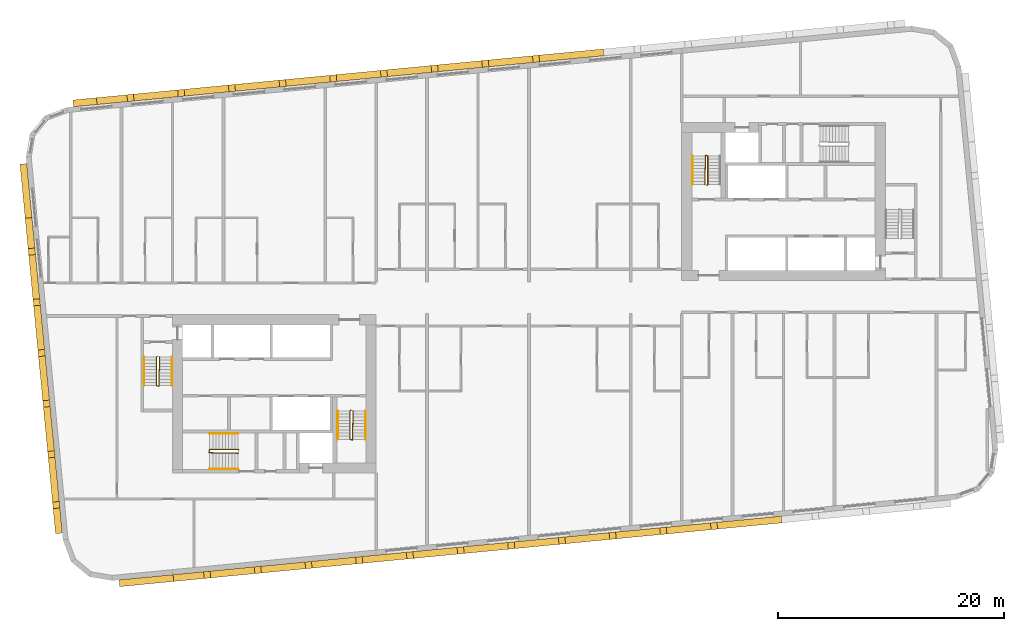
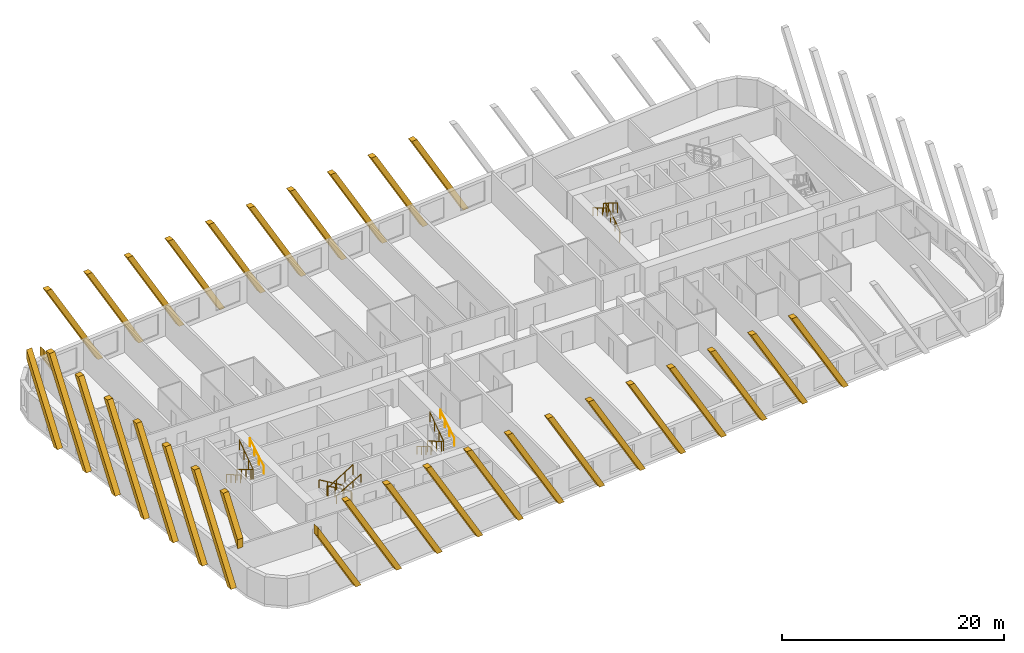
# One storey, part 12 of 13: 32 coverings, 11 railings.
"""IFC4 building model written with IfcOpenShell, lengths in metres."""

from ifc_helpers import new_model, si_unit, direction, frame, origin, origin_2d, place, context, subcontext, project, spatial, polyline, rectangle, circle, outline, extrude, material, material_profile, profile_set, type_object, element, save


model = new_model("IFC4")

# Units and contexts
model_context = context("Model", 3, precision=1e-05, world=origin(), true_north=direction((0.0, 1.0)))
body_context = subcontext(model_context, "Body", "Model", "MODEL_VIEW")
ifc_project = project(units=[si_unit("LENGTHUNIT", "METRE"), si_unit("AREAUNIT", "SQUARE_METRE"), si_unit("VOLUMEUNIT", "CUBIC_METRE"), si_unit("PLANEANGLEUNIT", "RADIAN"), si_unit("MASSUNIT", "GRAM", prefix="KILO")], contexts=[model_context])

# Site, building, storey
site_placement = place(None, origin())
site = spatial("IfcSite", under=ifc_project, at=site_placement, CompositionType="ELEMENT")
building_placement = place(site_placement, origin())
building = spatial("IfcBuilding", under=site, at=building_placement, Name="Kajstack Hotel Tower", CompositionType="ELEMENT")
storey_placement = place(building_placement, frame((0.0, 0.0, 166.89990234375)))
storey = spatial("IfcBuildingStorey", under=building, at=storey_placement, Name="L38", CompositionType="ELEMENT", Elevation=166.89990234375)

# Coverings
ifc_material_1 = material(Name="Terracotta", Category="masonry")
ifc_material_profile = material_profile(ifc_material_1, rectangle(XDim=0.60009765625, YDim=0.5, at=origin_2d()), Name="Terracotta-clad concrete baguette 500 x 600")
ifc_profile_set = profile_set([ifc_material_profile], Name="Terracotta")
covering_type = type_object("IfcCoveringType", Name="BAGUETTE 500x600", PredefinedType="CLADDING", material=ifc_profile_set)
covering_1_placement = place(storey_placement, frame((-44.380859375, 11.846923828125, 0.0), z_axis=(-0.995377661201, -0.096038073607, 0.0), x_axis=(0.096038073607, -0.995377661201, 0.0)))
element("IfcCovering", 1, at=covering_1_placement, inside=storey, type_object=covering_type, Name="Baguette L38-00-000", PredefinedType="CLADDING", context=body_context, shape_type="SweptSolid", body=[
    extrude(outline(polyline([(4.78857421875, 0.0), (0.0, 8.294189453125), (0.0, 7.294189453125), (4.21142578125, 0.0), (4.78857421875, 0.0)])), origin(), (0.0, 0.0, 1.0), 0.599853515625),
])
for number, where, z_axis, x_axis, name in (
    (2, (-44.09375, 8.864990234375, 0.0), (-0.995416482233, -0.095634862357, 0.0), (0.095634862357, -0.995416482233, 0.0), "Baguette L38-00-004"),
    (3, (-43.662353515625, 4.3857421875, 0.0), (-0.995416482233, -0.095634862357, 0.0), (0.095634862357, -0.995416482233, 0.0), "Baguette L38-00-008"),
    (4, (-43.231201171875, -0.093505859375, 0.0), (-0.995416482233, -0.095634862357, 0.0), (0.095634862357, -0.995416482233, 0.0), "Baguette L38-00-012"),
    (5, (-42.7998046875, -4.57275390625, 0.0), (-0.995377661201, -0.096038073607, 0.0), (0.096038073607, -0.995377661201, 0.0), "Baguette L38-00-016"),
):
    element("IfcCovering", number, at=place(storey_placement, frame(where, z_axis=z_axis, x_axis=x_axis)), inside=storey, type_object=covering_type, Name=name, PredefinedType="CLADDING", context=body_context, shape_type="SweptSolid", body=[
        extrude(outline(polyline([(0.0, 9.89990234375), (5.7158203125, 0.0), (6.293212890625, 0.0), (0.577392578125, 9.89990234375), (0.0, 9.89990234375)])), origin(), (0.0, 0.0, 1.0), 0.599853515625),
    ])
covering_2_placement = place(storey_placement, frame((-42.368408203125, -9.052001953125, 0.0), z_axis=(-0.995381412265, -0.095999188106, 0.0), x_axis=(0.095999188106, -0.995381412265, 0.0)))
element("IfcCovering", 6, at=covering_2_placement, inside=storey, type_object=covering_type, Name="Baguette L38-00-020", PredefinedType="CLADDING", context=body_context, shape_type="SweptSolid", body=[
    extrude(outline(polyline([(0.0, 9.89990234375), (5.7158203125, 0.0), (6.293212890625, 0.0), (0.577392578125, 9.89990234375), (0.0, 9.89990234375)])), origin(), (0.0, 0.0, 1.0), 0.60009765625),
])
covering_3_placement = place(storey_placement, frame((-41.937255859375, -13.53125, 0.0), z_axis=(-0.995377661201, -0.096038073607, 0.0), x_axis=(0.096038073607, -0.995377661201, 0.0)))
element("IfcCovering", 7, at=covering_3_placement, inside=storey, type_object=covering_type, Name="Baguette L38-00-024", PredefinedType="CLADDING", context=body_context, shape_type="SweptSolid", body=[
    extrude(outline(polyline([(0.0, 9.89990234375), (5.7158203125, 0.0), (6.293212890625, 0.0), (0.577392578125, 9.89990234375), (0.0, 9.89990234375)])), origin(), (0.0, 0.0, 1.0), 0.599853515625),
])
covering_4_placement = place(storey_placement, frame((-41.505859375, -18.0107421875, 0.0), z_axis=(-0.995416482233, -0.095634862357, 0.0), x_axis=(0.095634862357, -0.995416482233, 0.0)))
element("IfcCovering", 8, at=covering_4_placement, inside=storey, type_object=covering_type, Name="Baguette L38-00-028", PredefinedType="CLADDING", context=body_context, shape_type="SweptSolid", body=[
    extrude(outline(polyline([(0.0, 9.89990234375), (2.804443359375, 5.042724609375), (2.804443359375, 6.042724609375), (0.577392578125, 9.89990234375), (0.0, 9.89990234375)])), origin(), (0.0, 0.0, 1.0), 0.599853515625),
])
covering_5_placement = place(storey_placement, frame((-36.21728515625, -24.93994140625, 0.0), z_axis=(0.095634862357, -0.995416482233, 0.0), x_axis=(0.995416482233, 0.095634862357, 0.0)))
element("IfcCovering", 9, at=covering_5_placement, inside=storey, type_object=covering_type, Name="Baguette L38-04-000", PredefinedType="CLADDING", context=body_context, shape_type="SweptSolid", body=[
    extrude(outline(polyline([(4.78857421875, 0.0), (0.0, 8.294189453125), (0.0, 7.294189453125), (4.21142578125, 0.0), (4.78857421875, 0.0)])), origin(), (0.0, 0.0, 1.0), 0.599853515625),
])
for number, where, z_axis, x_axis, name in (
    (10, (-33.235595703125, -24.65283203125, 0.0), (0.096038073607, -0.995377661201, 0.0), (0.995377661201, 0.096038073607, 0.0), "Baguette L38-04-004"),
    (11, (-28.75634765625, -24.2216796875, 0.0), (0.096038073607, -0.995377661201, 0.0), (0.995377661201, 0.096038073607, 0.0), "Baguette L38-04-008"),
    (12, (-24.277099609375, -23.790283203125, 0.0), (0.096038073607, -0.995377661201, 0.0), (0.995377661201, 0.096038073607, 0.0), "Baguette L38-04-012"),
):
    element("IfcCovering", number, at=place(storey_placement, frame(where, z_axis=z_axis, x_axis=x_axis)), inside=storey, type_object=covering_type, Name=name, PredefinedType="CLADDING", context=body_context, shape_type="SweptSolid", body=[
        extrude(outline(polyline([(0.0, 9.89990234375), (5.7158203125, 0.0), (6.293212890625, 0.0), (0.577392578125, 9.89990234375), (0.0, 9.89990234375)])), origin(), (0.0, 0.0, 1.0), 0.599853515625),
    ])
covering_6_placement = place(storey_placement, frame((-19.7978515625, -23.35888671875, 0.0), z_axis=(0.095999188106, -0.995381412265, 0.0), x_axis=(0.995381412265, 0.095999188106, 0.0)))
element("IfcCovering", 13, at=covering_6_placement, inside=storey, type_object=covering_type, Name="Baguette L38-04-016", PredefinedType="CLADDING", context=body_context, shape_type="SweptSolid", body=[
    extrude(outline(polyline([(0.0, 9.89990234375), (5.7158203125, 0.0), (6.293212890625, 0.0), (0.577392578125, 9.89990234375), (0.0, 9.89990234375)])), origin(), (0.0, 0.0, 1.0), 0.60009765625),
])
for number, where, z_axis, x_axis, name in (
    (14, (-15.318359375, -22.927734375, 0.0), (0.095634862357, -0.995416482233, 0.0), (0.995416482233, 0.095634862357, 0.0), "Baguette L38-04-020"),
    (15, (-10.839111328125, -22.496337890625, 0.0), (0.095634862357, -0.995416482233, 0.0), (0.995416482233, 0.095634862357, 0.0), "Baguette L38-04-024"),
):
    element("IfcCovering", number, at=place(storey_placement, frame(where, z_axis=z_axis, x_axis=x_axis)), inside=storey, type_object=covering_type, Name=name, PredefinedType="CLADDING", context=body_context, shape_type="SweptSolid", body=[
        extrude(outline(polyline([(0.0, 9.89990234375), (5.7158203125, 0.0), (6.293212890625, 0.0), (0.577392578125, 9.89990234375), (0.0, 9.89990234375)])), origin(), (0.0, 0.0, 1.0), 0.599853515625),
    ])
covering_7_placement = place(storey_placement, frame((-6.35986328125, -22.06494140625, 0.0), z_axis=(0.095596137095, -0.995420202011, 0.0), x_axis=(0.995420202011, 0.095596137095, 0.0)))
element("IfcCovering", 16, at=covering_7_placement, inside=storey, type_object=covering_type, Name="Baguette L38-04-028", PredefinedType="CLADDING", context=body_context, shape_type="SweptSolid", body=[
    extrude(outline(polyline([(0.0, 9.89990234375), (5.7158203125, 0.0), (6.293212890625, 0.0), (0.577392578125, 9.89990234375), (0.0, 9.89990234375)])), origin(), (0.0, 0.0, 1.0), 0.60009765625),
])
covering_8_placement = place(storey_placement, frame((-1.880615234375, -21.6337890625, 0.0), z_axis=(0.096038073607, -0.995377661201, 0.0), x_axis=(0.995377661201, 0.096038073607, 0.0)))
element("IfcCovering", 17, at=covering_8_placement, inside=storey, type_object=covering_type, Name="Baguette L38-04-032", PredefinedType="CLADDING", context=body_context, shape_type="SweptSolid", body=[
    extrude(outline(polyline([(0.0, 9.89990234375), (5.7158203125, 0.0), (6.293212890625, 0.0), (0.577392578125, 9.89990234375), (0.0, 9.89990234375)])), origin(), (0.0, 0.0, 1.0), 0.599853515625),
])
covering_9_placement = place(storey_placement, frame((2.5986328125, -21.202392578125, 0.0), z_axis=(0.095999188106, -0.995381412265, 0.0), x_axis=(0.995381412265, 0.095999188106, 0.0)))
element("IfcCovering", 18, at=covering_9_placement, inside=storey, type_object=covering_type, Name="Baguette L38-04-036", PredefinedType="CLADDING", context=body_context, shape_type="SweptSolid", body=[
    extrude(outline(polyline([(0.0, 9.89990234375), (5.7158203125, 0.0), (6.293212890625, 0.0), (0.577392578125, 9.89990234375), (0.0, 9.89990234375)])), origin(), (0.0, 0.0, 1.0), 0.60009765625),
])
for number, where, z_axis, x_axis, name in (
    (19, (7.077880859375, -20.771240234375, 0.0), (0.096038073607, -0.995377661201, 0.0), (0.995377661201, 0.096038073607, 0.0), "Baguette L38-04-040"),
    (20, (11.55712890625, -20.33984375, 0.0), (0.096038073607, -0.995377661201, 0.0), (0.995377661201, 0.096038073607, 0.0), "Baguette L38-04-044"),
):
    element("IfcCovering", number, at=place(storey_placement, frame(where, z_axis=z_axis, x_axis=x_axis)), inside=storey, type_object=covering_type, Name=name, PredefinedType="CLADDING", context=body_context, shape_type="SweptSolid", body=[
        extrude(outline(polyline([(0.0, 9.89990234375), (5.7158203125, 0.0), (6.293212890625, 0.0), (0.577392578125, 9.89990234375), (0.0, 9.89990234375)])), origin(), (0.0, 0.0, 1.0), 0.599853515625),
    ])
covering_10_placement = place(storey_placement, frame((16.03662109375, -19.908447265625, 0.0), z_axis=(0.095596137095, -0.995420202011, 0.0), x_axis=(0.995420202011, 0.095596137095, 0.0)))
element("IfcCovering", 21, at=covering_10_placement, inside=storey, type_object=covering_type, Name="Baguette L38-04-048", PredefinedType="CLADDING", context=body_context, shape_type="SweptSolid", body=[
    extrude(outline(polyline([(0.0, 9.89990234375), (5.7158203125, 0.0), (6.293212890625, 0.0), (0.577392578125, 9.89990234375), (0.0, 9.89990234375)])), origin(), (0.0, 0.0, 1.0), 0.60009765625),
])
for number, where, z_axis, x_axis, name in (
    (22, (6.62890625, 21.3798828125, 0.0), (-0.095634862357, 0.995416482233, 0.0), (-0.995416482233, -0.095634862357, 0.0), "Baguette L38-12-028"),
    (23, (2.149658203125, 20.948486328125, 0.0), (-0.095634862357, 0.995416482233, 0.0), (-0.995416482233, -0.095634862357, 0.0), "Baguette L38-12-032"),
    (24, (-2.32958984375, 20.517333984375, 0.0), (-0.095634862357, 0.995416482233, 0.0), (-0.995416482233, -0.095634862357, 0.0), "Baguette L38-12-036"),
    (25, (-6.808837890625, 20.0859375, 0.0), (-0.096038073607, 0.995377661201, 0.0), (-0.995377661201, -0.096038073607, 0.0), "Baguette L38-12-040"),
):
    element("IfcCovering", number, at=place(storey_placement, frame(where, z_axis=z_axis, x_axis=x_axis)), inside=storey, type_object=covering_type, Name=name, PredefinedType="CLADDING", context=body_context, shape_type="SweptSolid", body=[
        extrude(outline(polyline([(5.7158203125, 9.89990234375), (0.0, 0.0), (0.577392578125, 0.0), (6.293212890625, 9.89990234375), (5.7158203125, 9.89990234375)])), origin(), (0.0, 0.0, 1.0), 0.599853515625),
    ])
covering_11_placement = place(storey_placement, frame((-11.2880859375, 19.654541015625, 0.0), z_axis=(-0.095999188106, 0.995381412265, 0.0), x_axis=(-0.995381412265, -0.095999188106, 0.0)))
element("IfcCovering", 26, at=covering_11_placement, inside=storey, type_object=covering_type, Name="Baguette L38-12-044", PredefinedType="CLADDING", context=body_context, shape_type="SweptSolid", body=[
    extrude(outline(polyline([(5.7158203125, 9.89990234375), (0.0, 0.0), (0.577392578125, 0.0), (6.293212890625, 9.89990234375), (5.7158203125, 9.89990234375)])), origin(), (0.0, 0.0, 1.0), 0.60009765625),
])
for number, where, z_axis, x_axis, name in (
    (27, (-15.767333984375, 19.223388671875, 0.0), (-0.096038073607, 0.995377661201, 0.0), (-0.995377661201, -0.096038073607, 0.0), "Baguette L38-12-048"),
    (28, (-20.24658203125, 18.7919921875, 0.0), (-0.096038073607, 0.995377661201, 0.0), (-0.995377661201, -0.096038073607, 0.0), "Baguette L38-12-052"),
):
    element("IfcCovering", number, at=place(storey_placement, frame(where, z_axis=z_axis, x_axis=x_axis)), inside=storey, type_object=covering_type, Name=name, PredefinedType="CLADDING", context=body_context, shape_type="SweptSolid", body=[
        extrude(outline(polyline([(5.7158203125, 9.89990234375), (0.0, 0.0), (0.577392578125, 0.0), (6.293212890625, 9.89990234375), (5.7158203125, 9.89990234375)])), origin(), (0.0, 0.0, 1.0), 0.599853515625),
    ])
covering_12_placement = place(storey_placement, frame((-24.72607421875, 18.360595703125, 0.0), z_axis=(-0.095596137095, 0.995420202011, 0.0), x_axis=(-0.995420202011, -0.095596137095, 0.0)))
element("IfcCovering", 29, at=covering_12_placement, inside=storey, type_object=covering_type, Name="Baguette L38-12-056", PredefinedType="CLADDING", context=body_context, shape_type="SweptSolid", body=[
    extrude(outline(polyline([(5.7158203125, 9.89990234375), (0.0, 0.0), (0.577392578125, 0.0), (6.293212890625, 9.89990234375), (5.7158203125, 9.89990234375)])), origin(), (0.0, 0.0, 1.0), 0.60009765625),
])
covering_13_placement = place(storey_placement, frame((-29.205322265625, 17.929443359375, 0.0), z_axis=(-0.095634862357, 0.995416482233, 0.0), x_axis=(-0.995416482233, -0.095634862357, 0.0)))
element("IfcCovering", 30, at=covering_13_placement, inside=storey, type_object=covering_type, Name="Baguette L38-12-060", PredefinedType="CLADDING", context=body_context, shape_type="SweptSolid", body=[
    extrude(outline(polyline([(5.7158203125, 9.89990234375), (0.0, 0.0), (0.577392578125, 0.0), (6.293212890625, 9.89990234375), (5.7158203125, 9.89990234375)])), origin(), (0.0, 0.0, 1.0), 0.599853515625),
])
covering_14_placement = place(storey_placement, frame((-33.6845703125, 17.498046875, 0.0), z_axis=(-0.095596137095, 0.995420202011, 0.0), x_axis=(-0.995420202011, -0.095596137095, 0.0)))
element("IfcCovering", 31, at=covering_14_placement, inside=storey, type_object=covering_type, Name="Baguette L38-12-064", PredefinedType="CLADDING", context=body_context, shape_type="SweptSolid", body=[
    extrude(outline(polyline([(5.7158203125, 9.89990234375), (0.0, 0.0), (0.577392578125, 0.0), (6.293212890625, 9.89990234375), (5.7158203125, 9.89990234375)])), origin(), (0.0, 0.0, 1.0), 0.60009765625),
])
covering_15_placement = place(storey_placement, frame((-38.163818359375, 17.06689453125, 0.0), z_axis=(-0.095634862357, 0.995416482233, 0.0), x_axis=(-0.995416482233, -0.095634862357, 0.0)))
element("IfcCovering", 32, at=covering_15_placement, inside=storey, type_object=covering_type, Name="Baguette L38-12-068", PredefinedType="CLADDING", context=body_context, shape_type="SweptSolid", body=[
    extrude(outline(polyline([(0.577392578125, 0.0), (2.088623046875, 2.61767578125), (2.088623046875, 3.61767578125), (0.0, 0.0), (0.577392578125, 0.0)])), origin(), (0.0, 0.0, 1.0), 0.599853515625),
])

# Railings
ifc_material_2 = material(Name="Steel S355J2", Category="steel")
railing_type_1 = type_object("IfcRailingType", Name="Stair guard 1100", PredefinedType="GUARDRAIL", material=ifc_material_2)
railing_1_placement = place(storey_placement, frame((-32.85009765625, -5.199951171875, 0.0)))
element("IfcRailing", 33, at=railing_1_placement, inside=storey, type_object=railing_type_1, Name="L38 W1 stair guard 1", PredefinedType="GUARDRAIL", context=body_context, shape_type="SweptSolid", body=[
    extrude(circle(Radius=0.02392578125, at=origin_2d()), frame((0.0, 0.0, 1.076171875), z_axis=(-0.277450376394, -0.278810427259, 0.919394384522), x_axis=(0.708833529934, -0.705375805398, 0.0)), (0.0, 0.0, 1.0), 0.179443359375),
    extrude(circle(Radius=0.02392578125, at=origin_2d()), frame((-0.0498046875, -0.050048828125, 1.2412109375), z_axis=(0.0, -0.86152411907, 0.507716645641), x_axis=(1.0, 0.0, 0.0)), (0.0, 0.0, 1.0), 2.925048828125),
    extrude(circle(Radius=0.02392578125, at=origin_2d()), frame((-0.0498046875, -2.570068359375, 2.72607421875), z_axis=(0.970072785993, -0.242814311512, 0.0), x_axis=(0.242814311512, 0.970072785993, 0.0)), (0.0, 0.0, 1.0), 0.2060546875),
    extrude(circle(Radius=0.02392578125, at=origin_2d()), frame((0.150146484375, -2.6201171875, 2.72607421875), z_axis=(0.016385308676, 0.841405582595, 0.540155687962), x_axis=(-0.999810440751, 0.019470042781, 0.0)), (0.0, 0.0, 1.0), 3.054443359375),
    extrude(circle(Radius=0.02099609375, at=origin_2d()), origin(), (0.0, 0.0, 1.0), 1.052001953125),
    extrude(circle(Radius=0.02099609375, at=origin_2d()), frame((-0.0498046875, -0.050048828125, 0.1650390625)), (0.0, 0.0, 1.0), 1.052001953125),
    extrude(circle(Radius=0.02099609375, at=origin_2d()), frame((-0.0498046875, -0.89013671875, 0.66015625)), (0.0, 0.0, 1.0), 1.052001953125),
    extrude(circle(Radius=0.02099609375, at=origin_2d()), frame((-0.0498046875, -1.72998046875, 1.155029296875)), (0.0, 0.0, 1.0), 1.052001953125),
    extrude(circle(Radius=0.02099609375, at=origin_2d()), frame((-0.0498046875, -2.570068359375, 1.650146484375)), (0.0, 0.0, 1.0), 1.052001953125),
    extrude(circle(Radius=0.02099609375, at=origin_2d()), frame((0.150146484375, -2.6201171875, 1.650146484375)), (0.0, 0.0, 1.0), 1.052001953125),
    extrude(circle(Radius=0.02099609375, at=origin_2d()), frame((0.166748046875, -1.763427734375, 2.2001953125)), (0.0, 0.0, 1.0), 1.052001953125),
    extrude(circle(Radius=0.02099609375, at=origin_2d()), frame((0.18359375, -0.90673828125, 2.75)), (0.0, 0.0, 1.0), 1.052001953125),
    extrude(circle(Radius=0.02099609375, at=origin_2d()), frame((0.2001953125, -0.050048828125, 3.300048828125)), (0.0, 0.0, 1.0), 1.052001953125),
])
railing_2_placement = place(storey_placement, frame((-15.75, -9.949951171875, 0.0)))
element("IfcRailing", 34, at=railing_2_placement, inside=storey, type_object=railing_type_1, Name="L38 W2 stair guard 1", PredefinedType="GUARDRAIL", context=body_context, shape_type="SweptSolid", body=[
    extrude(circle(Radius=0.02392578125, at=origin_2d()), frame((0.0, 0.0, 1.076171875), z_axis=(-0.278705021027, -0.278705021027, 0.919046801044), x_axis=(0.707106781187, -0.707106781187, 0.0)), (0.0, 0.0, 1.0), 0.1796875),
    extrude(circle(Radius=0.02392578125, at=origin_2d()), frame((-0.050048828125, -0.050048828125, 1.2412109375), z_axis=(0.0, -0.86152411907, 0.507716645641), x_axis=(1.0, 0.0, 0.0)), (0.0, 0.0, 1.0), 2.925048828125),
    extrude(circle(Radius=0.02392578125, at=origin_2d()), frame((-0.050048828125, -2.570068359375, 2.72607421875), z_axis=(0.970072785993, -0.242814311512, 0.0), x_axis=(0.242814311512, 0.970072785993, 0.0)), (0.0, 0.0, 1.0), 0.2060546875),
    extrude(circle(Radius=0.02392578125, at=origin_2d()), frame((0.14990234375, -2.6201171875, 2.72607421875), z_axis=(0.016385308676, 0.841405582595, 0.540155687962), x_axis=(-0.999810440751, 0.019470042781, 0.0)), (0.0, 0.0, 1.0), 3.054443359375),
    extrude(circle(Radius=0.02099609375, at=origin_2d()), origin(), (0.0, 0.0, 1.0), 1.052001953125),
    extrude(circle(Radius=0.02099609375, at=origin_2d()), frame((-0.050048828125, -0.050048828125, 0.1650390625)), (0.0, 0.0, 1.0), 1.052001953125),
    extrude(circle(Radius=0.02099609375, at=origin_2d()), frame((-0.050048828125, -0.89013671875, 0.66015625)), (0.0, 0.0, 1.0), 1.052001953125),
    extrude(circle(Radius=0.02099609375, at=origin_2d()), frame((-0.050048828125, -1.72998046875, 1.155029296875)), (0.0, 0.0, 1.0), 1.052001953125),
    extrude(circle(Radius=0.02099609375, at=origin_2d()), frame((-0.050048828125, -2.570068359375, 1.650146484375)), (0.0, 0.0, 1.0), 1.052001953125),
    extrude(circle(Radius=0.02099609375, at=origin_2d()), frame((0.14990234375, -2.6201171875, 1.650146484375)), (0.0, 0.0, 1.0), 1.052001953125),
    extrude(circle(Radius=0.02099609375, at=origin_2d()), frame((0.16650390625, -1.763427734375, 2.2001953125)), (0.0, 0.0, 1.0), 1.052001953125),
    extrude(circle(Radius=0.02099609375, at=origin_2d()), frame((0.183349609375, -0.90673828125, 2.75)), (0.0, 0.0, 1.0), 1.052001953125),
    extrude(circle(Radius=0.02099609375, at=origin_2d()), frame((0.199951171875, -0.050048828125, 3.300048828125)), (0.0, 0.0, 1.0), 1.052001953125),
])
railing_3_placement = place(storey_placement, frame((-25.64990234375, -13.449951171875, 0.0)))
element("IfcRailing", 35, at=railing_3_placement, inside=storey, type_object=railing_type_1, Name="L38 W3 stair guard 1", PredefinedType="GUARDRAIL", context=body_context, shape_type="SweptSolid", body=[
    extrude(circle(Radius=0.02392578125, at=origin_2d()), frame((0.0, 0.0, 1.076171875), z_axis=(-0.278705021027, 0.278705021027, 0.919046801044), x_axis=(-0.707106781187, -0.707106781187, 0.0)), (0.0, 0.0, 1.0), 0.1796875),
    extrude(circle(Radius=0.02392578125, at=origin_2d()), frame((-0.050048828125, 0.050048828125, 1.2412109375), z_axis=(-0.86152411907, 0.0, 0.507716645641), x_axis=(0.0, -1.0, 0.0)), (0.0, 0.0, 1.0), 2.925048828125),
    extrude(circle(Radius=0.02392578125, at=origin_2d()), frame((-2.570068359375, 0.050048828125, 2.72607421875), z_axis=(-0.164529134168, -0.986372223864, 0.0), x_axis=(0.986372223864, -0.164529134168, 0.0)), (0.0, 0.0, 1.0), 0.30419921875),
    extrude(circle(Radius=0.02392578125, at=origin_2d()), frame((-2.6201171875, -0.25, 2.72607421875), z_axis=(0.841405582595, -0.016385308676, 0.540155687962), x_axis=(0.019470042781, 0.999810440751, 0.0)), (0.0, 0.0, 1.0), 3.054443359375),
    extrude(circle(Radius=0.02099609375, at=origin_2d()), origin(), (0.0, 0.0, 1.0), 1.052001953125),
    extrude(circle(Radius=0.02099609375, at=origin_2d()), frame((-0.050048828125, 0.050048828125, 0.1650390625)), (0.0, 0.0, 1.0), 1.052001953125),
    extrude(circle(Radius=0.02099609375, at=origin_2d()), frame((-0.89013671875, 0.050048828125, 0.66015625)), (0.0, 0.0, 1.0), 1.052001953125),
    extrude(circle(Radius=0.02099609375, at=origin_2d()), frame((-1.72998046875, 0.050048828125, 1.155029296875)), (0.0, 0.0, 1.0), 1.052001953125),
    extrude(circle(Radius=0.02099609375, at=origin_2d()), frame((-2.570068359375, 0.050048828125, 1.650146484375)), (0.0, 0.0, 1.0), 1.052001953125),
    extrude(circle(Radius=0.02099609375, at=origin_2d()), frame((-2.6201171875, -0.25, 1.650146484375)), (0.0, 0.0, 1.0), 1.052001953125),
    extrude(circle(Radius=0.02099609375, at=origin_2d()), frame((-1.763427734375, -0.2666015625, 2.2001953125)), (0.0, 0.0, 1.0), 1.052001953125),
    extrude(circle(Radius=0.02099609375, at=origin_2d()), frame((-0.90673828125, -0.283447265625, 2.75)), (0.0, 0.0, 1.0), 1.052001953125),
    extrude(circle(Radius=0.02099609375, at=origin_2d()), frame((-0.050048828125, -0.300048828125, 3.300048828125)), (0.0, 0.0, 1.0), 1.052001953125),
])
railing_4_placement = place(storey_placement, frame((15.75, 9.949951171875, 0.0)))
element("IfcRailing", 36, at=railing_4_placement, inside=storey, type_object=railing_type_1, Name="L38 E2 stair guard 1", PredefinedType="GUARDRAIL", context=body_context, shape_type="SweptSolid", body=[
    extrude(circle(Radius=0.02392578125, at=origin_2d()), frame((0.0, 0.0, 1.076171875), z_axis=(0.278705021027, 0.278705021027, 0.919046801044), x_axis=(-0.707106781187, 0.707106781187, 0.0)), (0.0, 0.0, 1.0), 0.1796875),
    extrude(circle(Radius=0.02392578125, at=origin_2d()), frame((0.050048828125, 0.050048828125, 1.2412109375), z_axis=(0.0, 0.86152411907, 0.507716645641), x_axis=(-1.0, 0.0, 0.0)), (0.0, 0.0, 1.0), 2.925048828125),
    extrude(circle(Radius=0.02392578125, at=origin_2d()), frame((0.050048828125, 2.570068359375, 2.72607421875), z_axis=(-0.970072785993, 0.242814311512, 0.0), x_axis=(-0.242814311512, -0.970072785993, 0.0)), (0.0, 0.0, 1.0), 0.2060546875),
    extrude(circle(Radius=0.02392578125, at=origin_2d()), frame((-0.14990234375, 2.6201171875, 2.72607421875), z_axis=(-0.016385308676, -0.841405582595, 0.540155687962), x_axis=(0.999810440751, -0.019470042781, 0.0)), (0.0, 0.0, 1.0), 3.054443359375),
    extrude(circle(Radius=0.02099609375, at=origin_2d()), origin(), (0.0, 0.0, 1.0), 1.052001953125),
    extrude(circle(Radius=0.02099609375, at=origin_2d()), frame((0.050048828125, 0.050048828125, 0.1650390625)), (0.0, 0.0, 1.0), 1.052001953125),
    extrude(circle(Radius=0.02099609375, at=origin_2d()), frame((0.050048828125, 0.89013671875, 0.66015625)), (0.0, 0.0, 1.0), 1.052001953125),
    extrude(circle(Radius=0.02099609375, at=origin_2d()), frame((0.050048828125, 1.72998046875, 1.155029296875)), (0.0, 0.0, 1.0), 1.052001953125),
    extrude(circle(Radius=0.02099609375, at=origin_2d()), frame((0.050048828125, 2.570068359375, 1.650146484375)), (0.0, 0.0, 1.0), 1.052001953125),
    extrude(circle(Radius=0.02099609375, at=origin_2d()), frame((-0.14990234375, 2.6201171875, 1.650146484375)), (0.0, 0.0, 1.0), 1.052001953125),
    extrude(circle(Radius=0.02099609375, at=origin_2d()), frame((-0.16650390625, 1.763427734375, 2.2001953125)), (0.0, 0.0, 1.0), 1.052001953125),
    extrude(circle(Radius=0.02099609375, at=origin_2d()), frame((-0.183349609375, 0.90673828125, 2.75)), (0.0, 0.0, 1.0), 1.052001953125),
    extrude(circle(Radius=0.02099609375, at=origin_2d()), frame((-0.199951171875, 0.050048828125, 3.300048828125)), (0.0, 0.0, 1.0), 1.052001953125),
])
railing_type_2 = type_object("IfcRailingType", Name="Stair handrail 900", PredefinedType="HANDRAIL", material=ifc_material_2)
railing_5_placement = place(storey_placement, frame((-34.0, -5.25, 0.1650390625)))
element("IfcRailing", 37, at=railing_5_placement, inside=storey, type_object=railing_type_2, Name="L38 W1 stair handrail 1", PredefinedType="HANDRAIL", context=body_context, shape_type="SweptSolid", body=[
    extrude(circle(Radius=0.02392578125, at=origin_2d()), frame((0.0, 0.0, 0.8759765625), z_axis=(0.0, -0.86152411907, 0.507716645641), x_axis=(1.0, 0.0, 0.0)), (0.0, 0.0, 1.0), 2.925048828125),
    extrude(circle(Radius=0.02099609375, at=origin_2d()), origin(), (0.0, 0.0, 1.0), 0.851806640625),
    extrude(circle(Radius=0.02099609375, at=origin_2d()), frame((0.0, -0.840087890625, 0.4951171875)), (0.0, 0.0, 1.0), 0.851806640625),
    extrude(circle(Radius=0.02099609375, at=origin_2d()), frame((0.0, -1.679931640625, 0.989990234375)), (0.0, 0.0, 1.0), 0.851806640625),
    extrude(circle(Radius=0.02099609375, at=origin_2d()), frame((0.0, -2.52001953125, 1.485107421875)), (0.0, 0.0, 1.0), 0.851806640625),
])
railing_6_placement = place(storey_placement, frame((-31.550048828125, -7.77001953125, 1.815185546875)))
element("IfcRailing", 38, at=railing_6_placement, inside=storey, type_object=railing_type_2, Name="L38 W1 stair handrail 2", PredefinedType="HANDRAIL", context=body_context, shape_type="SweptSolid", body=[
    extrude(circle(Radius=0.02392578125, at=origin_2d()), frame((0.0, 0.0, 0.8759765625), z_axis=(0.0, 0.861560626758, 0.507654692109), x_axis=(-1.0, 0.0, 0.0)), (0.0, 0.0, 1.0), 2.925048828125),
    extrude(circle(Radius=0.02099609375, at=origin_2d()), origin(), (0.0, 0.0, 1.0), 0.851806640625),
    extrude(circle(Radius=0.02099609375, at=origin_2d()), frame((0.0, 0.840087890625, 0.494873046875)), (0.0, 0.0, 1.0), 0.851806640625),
    extrude(circle(Radius=0.02099609375, at=origin_2d()), frame((0.0, 1.679931640625, 0.989990234375)), (0.0, 0.0, 1.0), 0.851806640625),
    extrude(circle(Radius=0.02099609375, at=origin_2d()), frame((0.0, 2.52001953125, 1.48486328125)), (0.0, 0.0, 1.0), 0.851806640625),
])
railing_7_placement = place(storey_placement, frame((-16.89990234375, -10.0, 0.1650390625)))
element("IfcRailing", 39, at=railing_7_placement, inside=storey, type_object=railing_type_2, Name="L38 W2 stair handrail 1", PredefinedType="HANDRAIL", context=body_context, shape_type="SweptSolid", body=[
    extrude(circle(Radius=0.02392578125, at=origin_2d()), frame((0.0, 0.0, 0.8759765625), z_axis=(0.0, -0.86152411907, 0.507716645641), x_axis=(1.0, 0.0, 0.0)), (0.0, 0.0, 1.0), 2.925048828125),
    extrude(circle(Radius=0.02099609375, at=origin_2d()), origin(), (0.0, 0.0, 1.0), 0.851806640625),
    extrude(circle(Radius=0.02099609375, at=origin_2d()), frame((0.0, -0.840087890625, 0.4951171875)), (0.0, 0.0, 1.0), 0.851806640625),
    extrude(circle(Radius=0.02099609375, at=origin_2d()), frame((0.0, -1.679931640625, 0.989990234375)), (0.0, 0.0, 1.0), 0.851806640625),
    extrude(circle(Radius=0.02099609375, at=origin_2d()), frame((0.0, -2.52001953125, 1.485107421875)), (0.0, 0.0, 1.0), 0.851806640625),
])
railing_8_placement = place(storey_placement, frame((-14.449951171875, -12.52001953125, 1.815185546875)))
element("IfcRailing", 40, at=railing_8_placement, inside=storey, type_object=railing_type_2, Name="L38 W2 stair handrail 2", PredefinedType="HANDRAIL", context=body_context, shape_type="SweptSolid", body=[
    extrude(circle(Radius=0.02392578125, at=origin_2d()), frame((0.0, 0.0, 0.8759765625), z_axis=(0.0, 0.861560626758, 0.507654692109), x_axis=(-1.0, 0.0, 0.0)), (0.0, 0.0, 1.0), 2.925048828125),
    extrude(circle(Radius=0.02099609375, at=origin_2d()), origin(), (0.0, 0.0, 1.0), 0.851806640625),
    extrude(circle(Radius=0.02099609375, at=origin_2d()), frame((0.0, 0.840087890625, 0.494873046875)), (0.0, 0.0, 1.0), 0.851806640625),
    extrude(circle(Radius=0.02099609375, at=origin_2d()), frame((0.0, 1.679931640625, 0.989990234375)), (0.0, 0.0, 1.0), 0.851806640625),
    extrude(circle(Radius=0.02099609375, at=origin_2d()), frame((0.0, 2.52001953125, 1.48486328125)), (0.0, 0.0, 1.0), 0.851806640625),
])
railing_9_placement = place(storey_placement, frame((-25.699951171875, -12.0, 0.1650390625)))
element("IfcRailing", 41, at=railing_9_placement, inside=storey, type_object=railing_type_2, Name="L38 W3 stair handrail 1", PredefinedType="HANDRAIL", context=body_context, shape_type="SweptSolid", body=[
    extrude(circle(Radius=0.02392578125, at=origin_2d()), frame((0.0, 0.0, 0.8759765625), z_axis=(-0.86152411907, 0.0, 0.507716645641), x_axis=(0.0, -1.0, 0.0)), (0.0, 0.0, 1.0), 2.925048828125),
    extrude(circle(Radius=0.02099609375, at=origin_2d()), origin(), (0.0, 0.0, 1.0), 0.851806640625),
    extrude(circle(Radius=0.02099609375, at=origin_2d()), frame((-0.840087890625, 0.0, 0.4951171875)), (0.0, 0.0, 1.0), 0.851806640625),
    extrude(circle(Radius=0.02099609375, at=origin_2d()), frame((-1.679931640625, 0.0, 0.989990234375)), (0.0, 0.0, 1.0), 0.851806640625),
    extrude(circle(Radius=0.02099609375, at=origin_2d()), frame((-2.52001953125, 0.0, 1.485107421875)), (0.0, 0.0, 1.0), 0.851806640625),
])
railing_10_placement = place(storey_placement, frame((-28.219970703125, -15.14990234375, 1.815185546875)))
element("IfcRailing", 42, at=railing_10_placement, inside=storey, type_object=railing_type_2, Name="L38 W3 stair handrail 2", PredefinedType="HANDRAIL", context=body_context, shape_type="SweptSolid", body=[
    extrude(circle(Radius=0.02392578125, at=origin_2d()), frame((0.0, 0.0, 0.8759765625), z_axis=(0.861560626758, 0.0, 0.507654692109), x_axis=(0.0, 1.0, 0.0)), (0.0, 0.0, 1.0), 2.925048828125),
    extrude(circle(Radius=0.02099609375, at=origin_2d()), origin(), (0.0, 0.0, 1.0), 0.851806640625),
    extrude(circle(Radius=0.02099609375, at=origin_2d()), frame((0.840087890625, 0.0, 0.494873046875)), (0.0, 0.0, 1.0), 0.851806640625),
    extrude(circle(Radius=0.02099609375, at=origin_2d()), frame((1.679931640625, 0.0, 0.989990234375)), (0.0, 0.0, 1.0), 0.851806640625),
    extrude(circle(Radius=0.02099609375, at=origin_2d()), frame((2.52001953125, 0.0, 1.48486328125)), (0.0, 0.0, 1.0), 0.851806640625),
])
railing_11_placement = place(storey_placement, frame((14.449951171875, 12.52001953125, 1.815185546875)))
element("IfcRailing", 43, at=railing_11_placement, inside=storey, type_object=railing_type_2, Name="L38 E2 stair handrail 2", PredefinedType="HANDRAIL", context=body_context, shape_type="SweptSolid", body=[
    extrude(circle(Radius=0.02392578125, at=origin_2d()), frame((0.0, 0.0, 0.8759765625), z_axis=(0.0, -0.861560626758, 0.507654692109), x_axis=(1.0, 0.0, 0.0)), (0.0, 0.0, 1.0), 2.925048828125),
    extrude(circle(Radius=0.02099609375, at=origin_2d()), origin(), (0.0, 0.0, 1.0), 0.851806640625),
    extrude(circle(Radius=0.02099609375, at=origin_2d()), frame((0.0, -0.840087890625, 0.494873046875)), (0.0, 0.0, 1.0), 0.851806640625),
    extrude(circle(Radius=0.02099609375, at=origin_2d()), frame((0.0, -1.679931640625, 0.989990234375)), (0.0, 0.0, 1.0), 0.851806640625),
    extrude(circle(Radius=0.02099609375, at=origin_2d()), frame((0.0, -2.52001953125, 1.48486328125)), (0.0, 0.0, 1.0), 0.851806640625),
])

save(model, "model.ifc")
